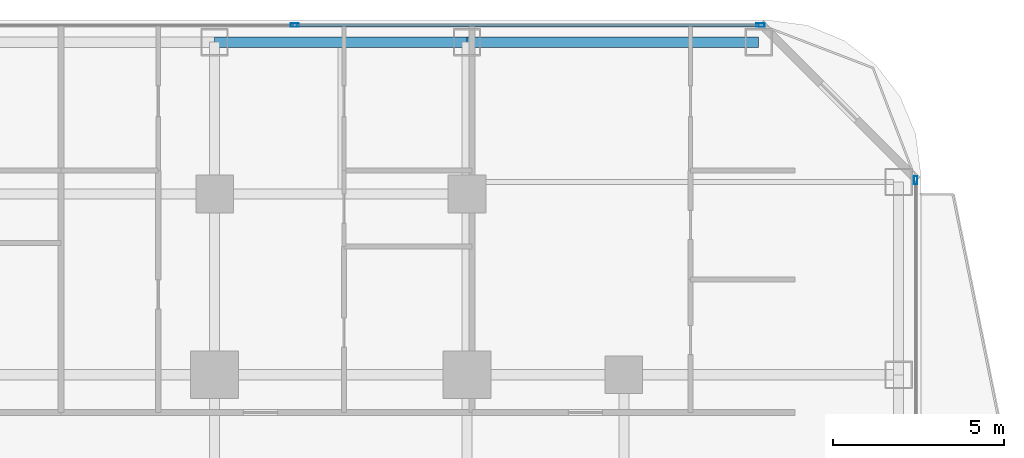
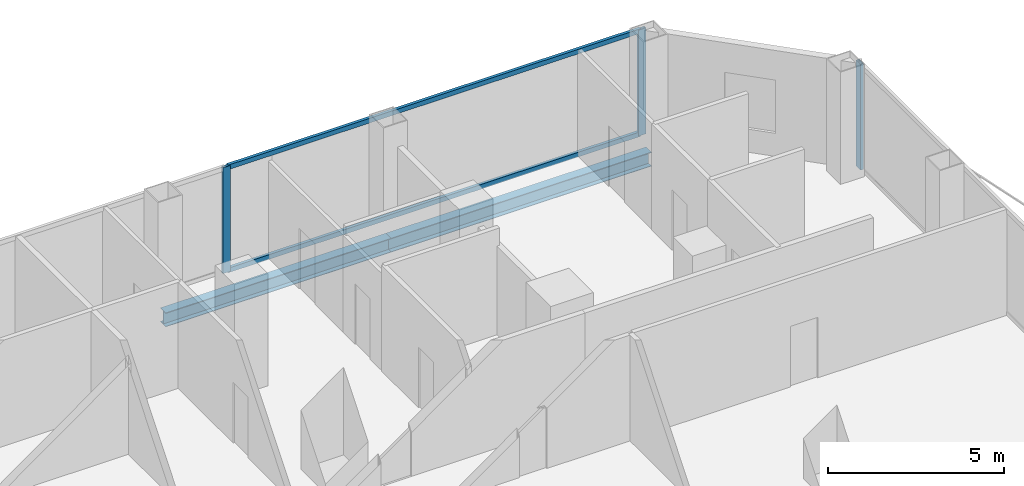
# One storey, part 18 of 27: 5 members, 2 beams, 2 elements without a shape of their own.
"""IFC4 building model written with IfcOpenShell, lengths in metres."""

from ifc_helpers import new_model, si_unit, direction, frame, origin, origin_2d, place, context, subcontext, project, spatial, hollow_rectangle, i_section, extrude, material, layer, layer_set, material_profile, profile_set, type_object, element, aggregate, save


model = new_model("IFC4")

# Units and contexts
model_context = context("Model", 3, precision=1e-05, world=origin(), true_north=direction((0.0, 1.0)))
body_context = subcontext(model_context, "Body", "Model", "MODEL_VIEW")
ifc_project = project(units=[si_unit("LENGTHUNIT", "METRE"), si_unit("AREAUNIT", "SQUARE_METRE"), si_unit("VOLUMEUNIT", "CUBIC_METRE"), si_unit("PLANEANGLEUNIT", "RADIAN"), si_unit("MASSUNIT", "GRAM", prefix="KILO")], contexts=[model_context])

# Site, building, storey
site_placement = place(None, origin())
site = spatial("IfcSite", under=ifc_project, at=site_placement, CompositionType="ELEMENT")
building_placement = place(site_placement, origin())
building = spatial("IfcBuilding", under=site, at=building_placement, Name="Khorvyn Point Tower", CompositionType="ELEMENT")
storey_placement = place(building_placement, frame((0.0, 0.0, 42.300048828125)))
storey = spatial("IfcBuildingStorey", under=building, at=storey_placement, Name="L11", CompositionType="ELEMENT", Elevation=42.300048828125)

# Curtain wall, members
ifc_material_1 = material(Name="Anodised aluminium 6063-T6 and laminated Low-E glass", Category="aluminium")
ifc_layer = layer(ifc_material_1, 0.18994140625)
ifc_layer_set = layer_set([ifc_layer], Name="Stick-Built Finned Residential Curtain Wall CW-SYS-02")
curtain_wall_type = type_object("IfcCurtainWallType", Name="Stick-Built Finned Residential Curtain Wall CW-SYS-02", PredefinedType="NOTDEFINED", material=ifc_layer_set)
curtain_wall_1_placement = place(storey_placement, origin())
curtain_wall_1 = element("IfcCurtainWall", 1, at=curtain_wall_1_placement, inside=storey, type_object=curtain_wall_type, Name="Curtain Wall", PredefinedType="NOTDEFINED")
ifc_material_2 = material(Name="Anodised aluminium 6063-T6", Category="aluminium")
ifc_material_profile_1 = material_profile(ifc_material_2, hollow_rectangle(XDim=0.10009765625, YDim=0.239990234375, WallThickness=0.0048828125, at=origin_2d()))
ifc_profile_set_1 = profile_set([ifc_material_profile_1], Name="Anodised aluminium 6063-T6 ALU-MUL-100x240")
member_type_1 = type_object("IfcMemberType", Name="Anodised Aluminium 6063-T6 Mullion ALU-MUL-100x240", PredefinedType="MULLION", material=ifc_profile_set_1)
member_1_placement = place(storey_placement, frame((9.75, 25.050048828125, 0.0), z_axis=(0.0, 0.0, 1.0), x_axis=(0.0, 1.0, 0.0)))
member_1 = element("IfcMember", 2, at=member_1_placement, type_object=member_type_1, Name="Transom", PredefinedType="MULLION", context=body_context, shape_type="SweptSolid", body=[
    extrude(hollow_rectangle(XDim=0.10009765625, YDim=0.239990234375, WallThickness=0.0048828125, at=origin_2d()), origin(), (0.0, 0.0, 1.0), 3.679931640625),
])
member_2_placement = place(storey_placement, frame((23.39990234375, 25.050048828125, 0.0), z_axis=(0.0, 0.0, 1.0), x_axis=(0.0, 1.0, 0.0)))
member_2 = element("IfcMember", 3, at=member_2_placement, type_object=member_type_1, Name="Transom", PredefinedType="MULLION", context=body_context, shape_type="SweptSolid", body=[
    extrude(hollow_rectangle(XDim=0.10009765625, YDim=0.239990234375, WallThickness=0.0048828125, at=origin_2d()), origin(), (0.0, 0.0, 1.0), 3.679931640625),
])

# Curtain wall, member
curtain_wall_2_placement = place(storey_placement, origin())
curtain_wall_2 = element("IfcCurtainWall", 4, at=curtain_wall_2_placement, inside=storey, type_object=curtain_wall_type, Name="Curtain Wall", PredefinedType="NOTDEFINED")
member_3_placement = place(storey_placement, frame((27.949951171875, 20.5, 0.0), z_axis=(0.0, 0.0, 1.0), x_axis=(1.0, 0.0, 0.0)))
member_3 = element("IfcMember", 5, at=member_3_placement, type_object=member_type_1, Name="Transom", PredefinedType="MULLION", context=body_context, shape_type="SweptSolid", body=[
    extrude(hollow_rectangle(XDim=0.10009765625, YDim=0.239990234375, WallThickness=0.0048828125, at=origin_2d()), origin(), (0.0, 0.0, 1.0), 3.679931640625),
])
aggregate(curtain_wall_2, [member_3])

# Member
ifc_material_profile_2 = material_profile(ifc_material_2, hollow_rectangle(XDim=0.10009765625, YDim=0.159912109375, WallThickness=0.00439453125, at=origin_2d()))
ifc_profile_set_2 = profile_set([ifc_material_profile_2], Name="Anodised aluminium 6063-T6 ALU-TRN-100x160")
member_type_2 = type_object("IfcMemberType", Name="Anodised Aluminium 6063-T6 Transom ALU-TRN-100x160", PredefinedType="USERDEFINED", material=ifc_profile_set_2)
member_4_placement = place(storey_placement, frame((9.800048828125, 25.050048828125, 0.050048828125), z_axis=(1.0, 0.0, 0.0), x_axis=(0.0, 1.0, 0.0)))
member_4 = element("IfcMember", 6, at=member_4_placement, type_object=member_type_2, Name="Transom", ObjectType="TRANSOM", PredefinedType="USERDEFINED", context=body_context, shape_type="SweptSolid", body=[
    extrude(hollow_rectangle(XDim=0.10009765625, YDim=0.159912109375, WallThickness=0.00439453125, at=origin_2d()), origin(), (0.0, 0.0, 1.0), 13.550048828125),
])

member_5_placement = place(storey_placement, frame((9.800048828125, 25.050048828125, 3.6298828125), z_axis=(1.0, 0.0, 0.0), x_axis=(0.0, 1.0, 0.0)))
member_5 = element("IfcMember", 7, at=member_5_placement, type_object=member_type_2, Name="Transom", ObjectType="TRANSOM", PredefinedType="USERDEFINED", context=body_context, shape_type="SweptSolid", body=[
    extrude(hollow_rectangle(XDim=0.10009765625, YDim=0.159912109375, WallThickness=0.00439453125, at=origin_2d()), origin(), (0.0, 0.0, 1.0), 13.550048828125),
])

aggregate(curtain_wall_1, [member_1, member_2, member_4, member_5])

# Beams
ifc_material_3 = material(Name="Steel S355", Category="steel")
ifc_material_profile_3 = material_profile(ifc_material_3, i_section(OverallWidth=0.300048828125, OverallDepth=0.488037109375, WebThickness=0.010986328125, FlangeThickness=0.01806640625, at=origin_2d()))
ifc_profile_set_3 = profile_set([ifc_material_profile_3], Name="Steel S355 H488x300x11x18")
beam_type = type_object("IfcBeamType", Name="Steel S355 Spandrel H488x300x11x18", PredefinedType="SPANDREL", material=ifc_profile_set_3)
beam_1_placement = place(storey_placement, frame((7.39990234375, 24.550048828125, -0.464111328125), z_axis=(1.0, 0.0, 0.0), x_axis=(0.0, 1.0, 0.0)))
element("IfcBeam", 8, at=beam_1_placement, inside=storey, type_object=beam_type, Name="Beam", PredefinedType="SPANDREL", context=body_context, shape_type="SweptSolid", body=[
    extrude(i_section(OverallWidth=0.300048828125, OverallDepth=0.488037109375, WebThickness=0.010986328125, FlangeThickness=0.01806640625, at=origin_2d()), origin(), (0.0, 0.0, 1.0), 7.400146484375),
])
beam_2_placement = place(storey_placement, frame((14.800048828125, 24.550048828125, -0.464111328125), z_axis=(1.0, 0.0, 0.0), x_axis=(0.0, 1.0, 0.0)))
element("IfcBeam", 9, at=beam_2_placement, inside=storey, type_object=beam_type, Name="Beam", PredefinedType="SPANDREL", context=body_context, shape_type="SweptSolid", body=[
    extrude(i_section(OverallWidth=0.300048828125, OverallDepth=0.488037109375, WebThickness=0.010986328125, FlangeThickness=0.01806640625, at=origin_2d()), origin(), (0.0, 0.0, 1.0), 8.550048828125),
])

save(model, "model.ifc")
